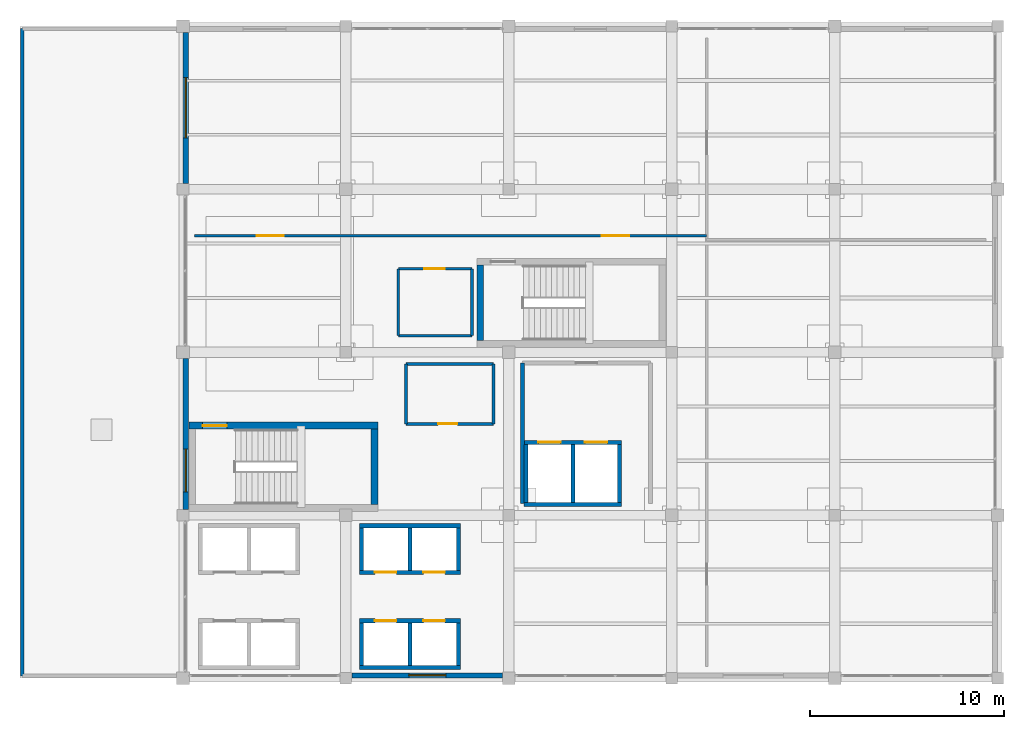
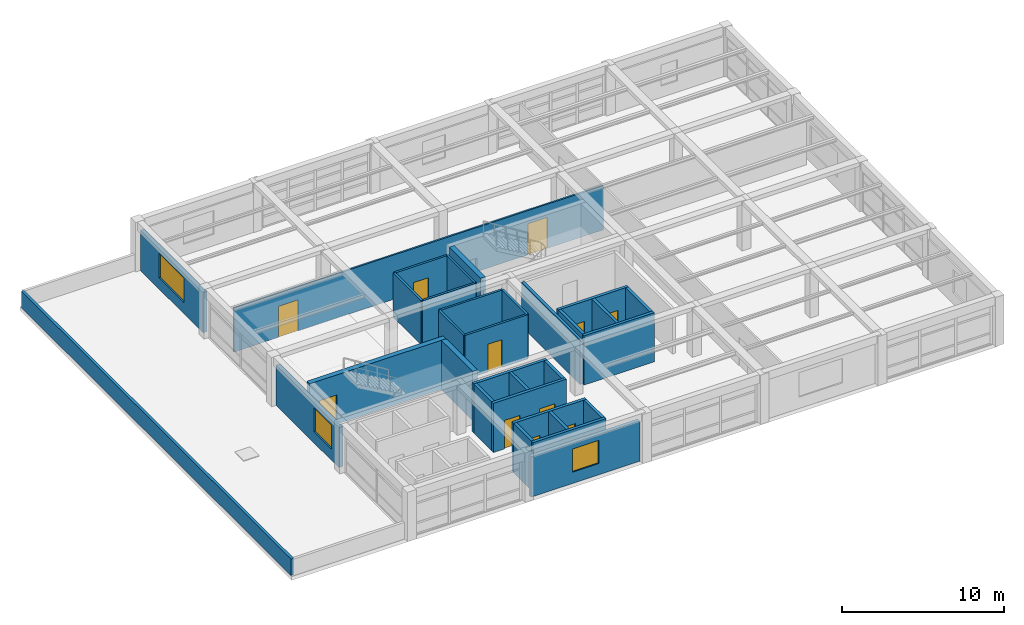
# One storey, part 24 of 26: 32 walls, 11 doors, 3 windows, 14 openings.
"""IFC4 building model written with IfcOpenShell, lengths in metres."""

from ifc_helpers import new_model, si_unit, direction, frame, frame_2d, origin, place, context, subcontext, project, spatial, rectangle, extrude, material, layer, layer_set, type_object, element, fill, save


model = new_model("IFC4")

# Units and contexts
model_context = context("Model", 3, precision=1e-05, world=origin(), true_north=direction((0.0, 1.0)))
body_context = subcontext(model_context, "Body", "Model", "MODEL_VIEW")
ifc_project = project(units=[si_unit("LENGTHUNIT", "METRE"), si_unit("AREAUNIT", "SQUARE_METRE"), si_unit("VOLUMEUNIT", "CUBIC_METRE"), si_unit("PLANEANGLEUNIT", "RADIAN"), si_unit("MASSUNIT", "GRAM", prefix="KILO")], contexts=[model_context])

# Site, building, storey
site_placement = place(None, origin())
site = spatial("IfcSite", under=ifc_project, at=site_placement, CompositionType="ELEMENT")
building_placement = place(site_placement, origin())
building = spatial("IfcBuilding", under=site, at=building_placement, Name="Almacenes y Pasaje Nevantli", CompositionType="ELEMENT")
storey_placement = place(building_placement, frame((0.0, 0.0, 42.699951171875)))
storey = spatial("IfcBuildingStorey", under=building, at=storey_placement, Name="L10", CompositionType="ELEMENT", Elevation=42.699951171875)

# Wall
ifc_material_1 = material(Name="Fire-Rated Concrete Blockwork", Category="masonry")
ifc_layer_1 = layer(ifc_material_1, 0.199951171875)
ifc_layer_set_1 = layer_set([ifc_layer_1], Name="Fire-Rated Concrete Blockwork")
wall_type_1 = type_object("IfcWallType", Name="WL-COMP-200", PredefinedType="PARTITIONING", material=ifc_layer_set_1)
wall_1_placement = place(storey_placement, frame((135.10009765625, 76.199951171875, 0.0), z_axis=(0.0, 0.0, 1.0), x_axis=(0.0, 1.0, 0.0)))
element("IfcWall", 1, at=wall_1_placement, inside=storey, type_object=wall_type_1, Name="L10 Interior Partition Wall IW-200 #175", PredefinedType="PARTITIONING", context=body_context, shape_type="SweptSolid", body=[
    extrude(rectangle(XDim=7.25, YDim=0.199951171875, at=frame_2d((3.625, 0.0))), origin(), (0.0, 0.0, 1.0), 3.340087890625),
])

# Wall, opening, door
ifc_material_2 = material(Name="Concrete C45/55", Category="concrete")
ifc_layer_2 = layer(ifc_material_2, 0.35009765625)
ifc_layer_set_2 = layer_set([ifc_layer_2], Name="Concrete C45/55")
wall_type_2 = type_object("IfcWallType", Name="WL-CORE-350", PredefinedType="SHEAR", material=ifc_layer_set_2)
wall_2_placement = place(storey_placement, frame((117.89990234375, 80.215087890625, 0.0), z_axis=(0.0, 0.0, 1.0), x_axis=(1.0, 0.0, 0.0)))
wall_2 = element("IfcWall", 2, at=wall_2_placement, inside=storey, type_object=wall_type_2, Name="L10 Exit Stair ST-01 North Core Shear Wall", PredefinedType="SHEAR", context=body_context, shape_type="SweptSolid", body=[
    extrude(rectangle(XDim=9.75, YDim=0.35009765625, at=frame_2d((4.875, 0.0))), origin(), (0.0, 0.0, 1.0), 3.719970703125),
])
opening_1_placement = place(wall_2_placement, frame((0.719970703125, 0.0, 0.0)))
opening_1 = element("IfcOpeningElement", 3, at=opening_1_placement, cuts=wall_2, Name="Opening SD-01-L10", PredefinedType="OPENING", context=body_context, shape_type="SweptSolid", body=[
    extrude(rectangle(XDim=1.25, YDim=2.199951171875, at=frame_2d((0.625, 1.10009765625))), frame((0.0, 0.18505859375, 0.0), z_axis=(0.0, -1.0, 0.0), x_axis=(1.0, 0.0, 0.0)), (0.0, 0.0, 1.0), 0.3701171875),
])
ifc_material_3 = material(Name="Galvanized Fire-Rated Steel", Category="steel")
door_type_1 = type_object("IfcDoorType", Name="DR-STAIR-1250", OperationType="SINGLE_SWING_LEFT", PredefinedType="DOOR", material=ifc_material_3)
door_1_placement = place(opening_1_placement, origin())
door_1 = element("IfcDoor", 4, at=door_1_placement, inside=storey, type_object=door_type_1, Name="L10 Smokeproof Exit Stair ST-01 Fire Door", OperationType="SINGLE_SWING_LEFT", OverallHeight=2.199951171875, OverallWidth=1.25, PredefinedType="DOOR", context=body_context, shape_type="SweptSolid", body=[
    extrude(rectangle(XDim=1.25, YDim=2.199951171875, at=frame_2d((0.625, 1.10009765625))), frame((0.0, 0.02490234375, 0.0), z_axis=(0.0, -1.0, 0.0), x_axis=(1.0, 0.0, 0.0)), (0.0, 0.0, 1.0), 0.050048828125),
])
fill(opening_1, door_1)

# Walls
wall_3_placement = place(storey_placement, frame((127.47509765625, 76.14990234375, 0.0), z_axis=(0.0, 0.0, 1.0), x_axis=(0.0, 1.0, 0.0)))
element("IfcWall", 5, at=wall_3_placement, inside=storey, type_object=wall_type_2, Name="L10 Exit Stair ST-01 East Core Shear Wall", PredefinedType="SHEAR", context=body_context, shape_type="SweptSolid", body=[
    extrude(rectangle(XDim=3.89013671875, YDim=0.35009765625, at=frame_2d((1.945068359375, 0.0))), origin(), (0.0, 0.0, 1.0), 3.719970703125),
])
wall_4_placement = place(storey_placement, frame((132.925048828125, 84.60009765625, 0.0), z_axis=(0.0, 0.0, 1.0), x_axis=(0.0, 1.0, 0.0)))
element("IfcWall", 6, at=wall_4_placement, inside=storey, type_object=wall_type_2, Name="L10 Exit Stair ST-02 West Core Shear Wall", PredefinedType="SHEAR", context=body_context, shape_type="SweptSolid", body=[
    extrude(rectangle(XDim=3.889892578125, YDim=0.35009765625, at=frame_2d((1.94482421875, 0.0))), origin(), (0.0, 0.0, 1.0), 3.719970703125),
])

# Wall, opening, window
ifc_material_4 = material(Name="Architectural Precast Concrete C35/45 Spandrel Wall", Category="concrete")
ifc_layer_3 = layer(ifc_material_4, 0.280029296875)
ifc_layer_set_3 = layer_set([ifc_layer_3], Name="Architectural Precast Concrete C35/45 Spandrel Wall")
wall_type_3 = type_object("IfcWallType", Name="WL-EXT-CANTERA-280", PredefinedType="SOLIDWALL", material=ifc_layer_set_3)
wall_5_placement = place(storey_placement, frame((117.739990234375, 75.902099609375, 0.0), z_axis=(0.0, 0.0, 1.0), x_axis=(0.0, 1.0, 0.0)))
wall_5 = element("IfcWall", 7, at=wall_5_placement, inside=storey, type_object=wall_type_3, Name="L10 Tower West Cantera Wall Bay 10", PredefinedType="SOLIDWALL", context=body_context, shape_type="SweptSolid", body=[
    extrude(rectangle(XDim=7.77001953125, YDim=0.280029296875, at=frame_2d((3.885009765625, 0.0))), origin(), (0.0, 0.0, 1.0), 3.0400390625),
])
opening_2_placement = place(wall_5_placement, frame((0.89794921875, 0.0, 0.85009765625)))
opening_2 = element("IfcOpeningElement", 8, at=opening_2_placement, cuts=wall_5, Name="Opening WT-31-238", PredefinedType="OPENING", context=body_context, shape_type="SweptSolid", body=[
    extrude(rectangle(XDim=2.199951171875, YDim=1.800048828125, at=frame_2d((1.10009765625, 0.89990234375))), frame((0.0, 0.14990234375, 0.0), z_axis=(0.0, -1.0, 0.0), x_axis=(1.0, 0.0, 0.0)), (0.0, 0.0, 1.0), 0.300048828125),
])
ifc_material_5 = material(Name="Thermally Broken Aluminium and Low-E Double Glazing", Category="aluminium")
window_type_1 = type_object("IfcWindowType", Name="WN-TWR-2200x1800", PartitioningType="SINGLE_PANEL", PredefinedType="WINDOW", material=ifc_material_5)
window_1_placement = place(opening_2_placement, origin())
window_1 = element("IfcWindow", 9, at=window_1_placement, inside=storey, type_object=window_type_1, Name="L10 Exterior Window WT-31 #238", OverallHeight=1.800048828125, OverallWidth=2.199951171875, PartitioningType="SINGLE_PANEL", PredefinedType="WINDOW", context=body_context, shape_type="SweptSolid", body=[
    extrude(rectangle(XDim=2.199951171875, YDim=1.800048828125, at=frame_2d((1.10009765625, 0.89990234375))), frame((0.0, 0.030029296875, 0.0), z_axis=(0.0, -1.0, 0.0), x_axis=(1.0, 0.0, 0.0)), (0.0, 0.0, 1.0), 0.06005859375),
])
fill(opening_2, window_1)

wall_6_placement = place(storey_placement, frame((117.739990234375, 92.7041015625, 0.0), z_axis=(0.0, 0.0, 1.0), x_axis=(0.0, 1.0, 0.0)))
wall_6 = element("IfcWall", 10, at=wall_6_placement, inside=storey, type_object=wall_type_3, Name="L10 Tower West Cantera Wall Bay 12", PredefinedType="SOLIDWALL", context=body_context, shape_type="SweptSolid", body=[
    extrude(rectangle(XDim=7.767822265625, YDim=0.280029296875, at=frame_2d((3.8837890625, 0.0))), origin(), (0.0, 0.0, 1.0), 3.0400390625),
])
opening_3_placement = place(wall_6_placement, frame((2.345947265625, 0.0, 0.85009765625)))
opening_3 = element("IfcOpeningElement", 11, at=opening_3_placement, cuts=wall_6, Name="Opening WT-28-240", PredefinedType="OPENING", context=body_context, shape_type="SweptSolid", body=[
    extrude(rectangle(XDim=3.10009765625, YDim=1.85009765625, at=frame_2d((1.550048828125, 0.925048828125))), frame((0.0, 0.14990234375, 0.0), z_axis=(0.0, -1.0, 0.0), x_axis=(1.0, 0.0, 0.0)), (0.0, 0.0, 1.0), 0.300048828125),
])
ifc_material_6 = material(Name="Thermally Broken Aluminium and Low-E Double Glazing", Category="aluminium")
window_type_2 = type_object("IfcWindowType", Name="WN-TWR-3100x1850", PartitioningType="SINGLE_PANEL", PredefinedType="WINDOW", material=ifc_material_6)
window_2_placement = place(opening_3_placement, origin())
window_2 = element("IfcWindow", 12, at=window_2_placement, inside=storey, type_object=window_type_2, Name="L10 Exterior Window WT-28 #240", OverallHeight=1.85009765625, OverallWidth=3.10009765625, PartitioningType="SINGLE_PANEL", PredefinedType="WINDOW", context=body_context, shape_type="SweptSolid", body=[
    extrude(rectangle(XDim=3.10009765625, YDim=1.85009765625, at=frame_2d((1.550048828125, 0.925048828125))), frame((0.0, 0.030029296875, 0.0), z_axis=(0.0, -1.0, 0.0), x_axis=(1.0, 0.0, 0.0)), (0.0, 0.0, 1.0), 0.06005859375),
])
fill(opening_3, window_2)

ifc_material_7 = material(Name="Cream Architectural Precast Concrete C35/45 Wall", Category="concrete")
ifc_layer_4 = layer(ifc_material_7, 0.260009765625)
ifc_layer_set_4 = layer_set([ifc_layer_4], Name="Cream Architectural Precast Concrete C35/45 Wall")
wall_type_4 = type_object("IfcWallType", Name="WL-EXT-PRECAST-260", PredefinedType="SOLIDWALL", material=ifc_layer_set_4)
wall_7_placement = place(storey_placement, frame((126.303955078125, 67.340087890625, 0.0), z_axis=(0.0, 0.0, 1.0), x_axis=(1.0, 0.0, 0.0)))
wall_7 = element("IfcWall", 13, at=wall_7_placement, inside=storey, type_object=wall_type_4, Name="L10 Tower South Precast Spandrel Wall Bay 16", PredefinedType="SOLIDWALL", context=body_context, shape_type="SweptSolid", body=[
    extrude(rectangle(XDim=7.76806640625, YDim=0.260009765625, at=frame_2d((3.884033203125, 0.0))), origin(), (0.0, 0.0, 1.0), 3.0400390625),
])
opening_4_placement = place(wall_7_placement, frame((2.946044921875, 0.0, 0.85009765625)))
opening_4 = element("IfcOpeningElement", 14, at=opening_4_placement, cuts=wall_7, Name="Opening WT-32-233", PredefinedType="OPENING", context=body_context, shape_type="SweptSolid", body=[
    extrude(rectangle(XDim=1.89990234375, YDim=1.75, at=frame_2d((0.949951171875, 0.875))), frame((0.0, 0.139892578125, 0.0), z_axis=(0.0, -1.0, 0.0), x_axis=(1.0, 0.0, 0.0)), (0.0, 0.0, 1.0), 0.280029296875),
])
ifc_material_8 = material(Name="Thermally Broken Aluminium and Low-E Double Glazing", Category="aluminium")
window_type_3 = type_object("IfcWindowType", Name="WN-TWR-1900x1750", PartitioningType="SINGLE_PANEL", PredefinedType="WINDOW", material=ifc_material_8)
window_3_placement = place(opening_4_placement, origin())
window_3 = element("IfcWindow", 15, at=window_3_placement, inside=storey, type_object=window_type_3, Name="L10 Exterior Window WT-32 #233", OverallHeight=1.75, OverallWidth=1.89990234375, PartitioningType="SINGLE_PANEL", PredefinedType="WINDOW", context=body_context, shape_type="SweptSolid", body=[
    extrude(rectangle(XDim=1.89990234375, YDim=1.75, at=frame_2d((0.949951171875, 0.875))), frame((0.0, 0.030029296875, 0.0), z_axis=(0.0, -1.0, 0.0), x_axis=(1.0, 0.0, 0.0)), (0.0, 0.0, 1.0), 0.06005859375),
])
fill(opening_4, window_3)

# Wall
ifc_material_9 = material(Name="Reinforced Concrete C35/45 Tower Parapet", Category="concrete")
ifc_layer_5 = layer(ifc_material_9, 0.18994140625)
ifc_layer_set_5 = layer_set([ifc_layer_5], Name="Reinforced Concrete C35/45 Tower Parapet")
wall_type_5 = type_object("IfcWallType", Name="WL-PARAPET-190", PredefinedType="PARAPET", material=ifc_layer_set_5)
wall_8_placement = place(storey_placement, frame((109.320068359375, 67.320068359375, 0.0), z_axis=(0.0, 0.0, 1.0), x_axis=(0.0, 1.0, 0.0)))
element("IfcWall", 16, at=wall_8_placement, inside=storey, type_object=wall_type_5, Name="L10 Setback West Parapet", PredefinedType="PARAPET", context=body_context, shape_type="SweptSolid", body=[
    extrude(rectangle(XDim=33.35986328125, YDim=0.18994140625, at=frame_2d((16.679931640625, 0.0))), origin(), (0.0, 0.0, 1.0), 1.25),
])

# Wall, openings, doors
ifc_material_10 = material(Name="Standard Steel-Stud Gypsum Partition", Category="steel")
ifc_layer_6 = layer(ifc_material_10, 0.1201171875)
ifc_layer_set_6 = layer_set([ifc_layer_6], Name="Standard Steel-Stud Gypsum Partition")
wall_type_6 = type_object("IfcWallType", Name="WL-PART-120", PredefinedType="PARTITIONING", material=ifc_layer_set_6)
wall_9_placement = place(storey_placement, frame((118.199951171875, 90.0, 0.0), z_axis=(0.0, 0.0, 1.0), x_axis=(1.0, 0.0, 0.0)))
wall_9 = element("IfcWall", 17, at=wall_9_placement, inside=storey, type_object=wall_type_6, Name="L10 Interior Partition Wall IW-120 #185", PredefinedType="PARTITIONING", context=body_context, shape_type="SweptSolid", body=[
    extrude(rectangle(XDim=26.400146484375, YDim=0.1201171875, at=frame_2d((13.2001953125, 0.0))), origin(), (0.0, 0.0, 1.0), 3.340087890625),
])
opening_5_placement = place(wall_9_placement, frame((3.199951171875, 0.0, 0.0)))
opening_5 = element("IfcOpeningElement", 18, at=opening_5_placement, cuts=wall_9, Name="Opening ID-L10-100", PredefinedType="OPENING", context=body_context, shape_type="SweptSolid", body=[
    extrude(rectangle(XDim=1.39990234375, YDim=2.35009765625, at=frame_2d((0.699951171875, 1.175048828125))), frame((0.0, 0.070068359375, 0.0), z_axis=(0.0, -1.0, 0.0), x_axis=(1.0, 0.0, 0.0)), (0.0, 0.0, 1.0), 0.14013671875),
])
opening_6_placement = place(wall_9_placement, frame((21.0, 0.0, 0.0)))
opening_6 = element("IfcOpeningElement", 19, at=opening_6_placement, cuts=wall_9, Name="Opening ID-L10-101", PredefinedType="OPENING", context=body_context, shape_type="SweptSolid", body=[
    extrude(rectangle(XDim=1.39990234375, YDim=2.35009765625, at=frame_2d((0.699951171875, 1.175048828125))), frame((0.0, 0.070068359375, 0.0), z_axis=(0.0, -1.0, 0.0), x_axis=(1.0, 0.0, 0.0)), (0.0, 0.0, 1.0), 0.14013671875),
])
ifc_material_11 = material(Name="Framed Tempered Safety Glass", Category="glass")
door_type_2 = type_object("IfcDoorType", Name="DR-GLZ-1400", OperationType="DOUBLE_DOOR_SINGLE_SWING", PredefinedType="DOOR", material=ifc_material_11)
door_2_placement = place(opening_5_placement, origin())
door_2 = element("IfcDoor", 20, at=door_2_placement, inside=storey, type_object=door_type_2, Name="L10 L10 North Workplace West Door", OperationType="DOUBLE_DOOR_SINGLE_SWING", OverallHeight=2.35009765625, OverallWidth=1.39990234375, PredefinedType="DOOR", context=body_context, shape_type="SweptSolid", body=[
    extrude(rectangle(XDim=1.39990234375, YDim=2.35009765625, at=frame_2d((0.699951171875, 1.175048828125))), frame((0.0, 0.02490234375, 0.0), z_axis=(0.0, -1.0, 0.0), x_axis=(1.0, 0.0, 0.0)), (0.0, 0.0, 1.0), 0.050048828125),
])
fill(opening_5, door_2)
door_3_placement = place(opening_6_placement, origin())
door_3 = element("IfcDoor", 21, at=door_3_placement, inside=storey, type_object=door_type_2, Name="L10 L10 North Workplace East Door", OperationType="DOUBLE_DOOR_SINGLE_SWING", OverallHeight=2.35009765625, OverallWidth=1.39990234375, PredefinedType="DOOR", context=body_context, shape_type="SweptSolid", body=[
    extrude(rectangle(XDim=1.39990234375, YDim=2.35009765625, at=frame_2d((0.699951171875, 1.175048828125))), frame((0.0, 0.02490234375, 0.0), z_axis=(0.0, -1.0, 0.0), x_axis=(1.0, 0.0, 0.0)), (0.0, 0.0, 1.0), 0.050048828125),
])
fill(opening_6, door_3)

# Wall, opening, door
ifc_material_12 = material(Name="Acoustic Steel-Stud Gypsum Partition", Category="steel")
ifc_layer_7 = layer(ifc_material_12, 0.14990234375)
ifc_layer_set_7 = layer_set([ifc_layer_7], Name="Acoustic Steel-Stud Gypsum Partition")
wall_type_7 = type_object("IfcWallType", Name="WL-PART-150", PredefinedType="PARTITIONING", material=ifc_layer_set_7)
wall_10_placement = place(storey_placement, frame((129.10009765625, 80.300048828125, 0.0), z_axis=(0.0, 0.0, 1.0), x_axis=(1.0, 0.0, 0.0)))
wall_10 = element("IfcWall", 22, at=wall_10_placement, inside=storey, type_object=wall_type_7, Name="L10 Interior Partition Wall IW-150 #177", PredefinedType="PARTITIONING", context=body_context, shape_type="SweptSolid", body=[
    extrude(rectangle(XDim=4.5, YDim=0.14990234375, at=frame_2d((2.25, 0.0))), origin(), (0.0, 0.0, 1.0), 3.340087890625),
])
opening_7_placement = place(wall_10_placement, frame((1.64990234375, 0.0, 0.0)))
opening_7 = element("IfcOpeningElement", 23, at=opening_7_placement, cuts=wall_10, Name="Opening ID-L10-098", PredefinedType="OPENING", context=body_context, shape_type="SweptSolid", body=[
    extrude(rectangle(XDim=1.0, YDim=2.10009765625, at=frame_2d((0.5, 1.050048828125))), frame((0.0, 0.0849609375, 0.0), z_axis=(0.0, -1.0, 0.0), x_axis=(1.0, 0.0, 0.0)), (0.0, 0.0, 1.0), 0.169921875),
])
ifc_material_13 = material(Name="Powder-Coated Hollow Metal", Category="steel")
door_type_3 = type_object("IfcDoorType", Name="DR-INT-1000", OperationType="SINGLE_SWING_LEFT", PredefinedType="DOOR", material=ifc_material_13)
door_4_placement = place(opening_7_placement, origin())
door_4 = element("IfcDoor", 24, at=door_4_placement, inside=storey, type_object=door_type_3, Name="L10 Staff and Public WC Door", OperationType="SINGLE_SWING_LEFT", OverallHeight=2.10009765625, OverallWidth=1.0, PredefinedType="DOOR", context=body_context, shape_type="SweptSolid", body=[
    extrude(rectangle(XDim=1.0, YDim=2.10009765625, at=frame_2d((0.5, 1.050048828125))), frame((0.0, 0.02490234375, 0.0), z_axis=(0.0, -1.0, 0.0), x_axis=(1.0, 0.0, 0.0)), (0.0, 0.0, 1.0), 0.050048828125),
])
fill(opening_7, door_4)

# Walls
wall_11_placement = place(storey_placement, frame((129.10009765625, 83.39990234375, 0.0), z_axis=(0.0, 0.0, 1.0), x_axis=(1.0, 0.0, 0.0)))
element("IfcWall", 25, at=wall_11_placement, inside=storey, type_object=wall_type_7, Name="L10 Interior Partition Wall IW-150 #178", PredefinedType="PARTITIONING", context=body_context, shape_type="SweptSolid", body=[
    extrude(rectangle(XDim=4.5, YDim=0.14990234375, at=frame_2d((2.25, 0.0))), origin(), (0.0, 0.0, 1.0), 3.340087890625),
])
for number, where, z_axis, x_axis, name in (
    (26, (129.10009765625, 80.300048828125, 0.0), (0.0, 0.0, 1.0), (0.0, 1.0, 0.0), "L10 Interior Partition Wall IW-150 #179"),
    (27, (133.60009765625, 80.300048828125, 0.0), (0.0, 0.0, 1.0), (0.0, 1.0, 0.0), "L10 Interior Partition Wall IW-150 #180"),
):
    element("IfcWall", number, at=place(storey_placement, frame(where, z_axis=z_axis, x_axis=x_axis)), inside=storey, type_object=wall_type_7, Name=name, PredefinedType="PARTITIONING", context=body_context, shape_type="SweptSolid", body=[
        extrude(rectangle(XDim=3.099853515625, YDim=0.14990234375, at=frame_2d((1.5498046875, 0.0))), origin(), (0.0, 0.0, 1.0), 3.340087890625),
    ])

# Wall, opening, door
wall_12_placement = place(storey_placement, frame((128.699951171875, 88.300048828125, 0.0), z_axis=(0.0, 0.0, 1.0), x_axis=(1.0, 0.0, 0.0)))
wall_12 = element("IfcWall", 28, at=wall_12_placement, inside=storey, type_object=wall_type_7, Name="L10 Interior Partition Wall IW-150 #181", PredefinedType="PARTITIONING", context=body_context, shape_type="SweptSolid", body=[
    extrude(rectangle(XDim=3.800048828125, YDim=0.14990234375, at=frame_2d((1.89990234375, 0.0))), origin(), (0.0, 0.0, 1.0), 3.340087890625),
])
opening_8_placement = place(wall_12_placement, frame((1.35009765625, 0.0, 0.0)))
opening_8 = element("IfcOpeningElement", 29, at=opening_8_placement, cuts=wall_12, Name="Opening ID-L10-099", PredefinedType="OPENING", context=body_context, shape_type="SweptSolid", body=[
    extrude(rectangle(XDim=1.050048828125, YDim=2.14990234375, at=frame_2d((0.52490234375, 1.074951171875))), frame((0.0, 0.0849609375, 0.0), z_axis=(0.0, -1.0, 0.0), x_axis=(1.0, 0.0, 0.0)), (0.0, 0.0, 1.0), 0.169921875),
])
ifc_material_14 = material(Name="Powder-Coated Hollow Metal", Category="steel")
door_type_4 = type_object("IfcDoorType", Name="DR-ACC-1050", OperationType="SINGLE_SWING_RIGHT", PredefinedType="DOOR", material=ifc_material_14)
door_5_placement = place(opening_8_placement, origin())
door_5 = element("IfcDoor", 30, at=door_5_placement, inside=storey, type_object=door_type_4, Name="L10 Accessible WC Door", OperationType="SINGLE_SWING_RIGHT", OverallHeight=2.14990234375, OverallWidth=1.050048828125, PredefinedType="DOOR", context=body_context, shape_type="SweptSolid", body=[
    extrude(rectangle(XDim=1.050048828125, YDim=2.14990234375, at=frame_2d((0.52490234375, 1.074951171875))), frame((0.0, 0.02490234375, 0.0), z_axis=(0.0, -1.0, 0.0), x_axis=(1.0, 0.0, 0.0)), (0.0, 0.0, 1.0), 0.050048828125),
])
fill(opening_8, door_5)

# Walls
wall_13_placement = place(storey_placement, frame((128.699951171875, 84.85009765625, 0.0), z_axis=(0.0, 0.0, 1.0), x_axis=(1.0, 0.0, 0.0)))
element("IfcWall", 31, at=wall_13_placement, inside=storey, type_object=wall_type_7, Name="L10 Interior Partition Wall IW-150 #182", PredefinedType="PARTITIONING", context=body_context, shape_type="SweptSolid", body=[
    extrude(rectangle(XDim=3.800048828125, YDim=0.14990234375, at=frame_2d((1.89990234375, 0.0))), origin(), (0.0, 0.0, 1.0), 3.340087890625),
])
for number, where, z_axis, x_axis, name in (
    (32, (128.699951171875, 84.85009765625, 0.0), (0.0, 0.0, 1.0), (0.0, 1.0, 0.0), "L10 Interior Partition Wall IW-150 #183"),
    (33, (132.5, 84.85009765625, 0.0), (0.0, 0.0, 1.0), (0.0, 1.0, 0.0), "L10 Interior Partition Wall IW-150 #184"),
):
    element("IfcWall", number, at=place(storey_placement, frame(where, z_axis=z_axis, x_axis=x_axis)), inside=storey, type_object=wall_type_7, Name=name, PredefinedType="PARTITIONING", context=body_context, shape_type="SweptSolid", body=[
        extrude(rectangle(XDim=3.449951171875, YDim=0.14990234375, at=frame_2d((1.72509765625, 0.0))), origin(), (0.0, 0.0, 1.0), 3.340087890625),
    ])
ifc_material_15 = material(Name="Concrete C45/55", Category="concrete")
ifc_layer_8 = layer(ifc_material_15, 0.2099609375)
ifc_layer_set_8 = layer_set([ifc_layer_8], Name="Concrete C45/55")
wall_type_8 = type_object("IfcWallType", Name="WL-SHAFT-210", PredefinedType="SHEAR", material=ifc_layer_set_8)
wall_14_placement = place(storey_placement, frame((126.68994140625, 67.7451171875, 0.0), z_axis=(0.0, 0.0, 1.0), x_axis=(1.0, 0.0, 0.0)))
element("IfcWall", 34, at=wall_14_placement, inside=storey, type_object=wall_type_8, Name="L10 Lift Hoistway ELV-P01-ELV-P02 South Wall", PredefinedType="SHEAR", context=body_context, shape_type="SweptSolid", body=[
    extrude(rectangle(XDim=5.219970703125, YDim=0.2099609375, at=frame_2d((2.60986328125, 0.0))), origin(), (0.0, 0.0, 1.0), 3.719970703125),
])

# Wall, openings, doors
wall_15_placement = place(storey_placement, frame((126.68994140625, 70.155029296875, 0.0), z_axis=(0.0, 0.0, 1.0), x_axis=(1.0, 0.0, 0.0)))
wall_15 = element("IfcWall", 35, at=wall_15_placement, inside=storey, type_object=wall_type_8, Name="L10 Lift Hoistway ELV-P01-ELV-P02 North Wall", PredefinedType="SHEAR", context=body_context, shape_type="SweptSolid", body=[
    extrude(rectangle(XDim=5.219970703125, YDim=0.2099609375, at=frame_2d((2.60986328125, 0.0))), origin(), (0.0, 0.0, 1.0), 3.719970703125),
])
opening_9_placement = place(wall_15_placement, frame((0.81005859375, 0.0, 0.0)))
opening_9 = element("IfcOpeningElement", 36, at=opening_9_placement, cuts=wall_15, Name="Opening LD-P01-L10", PredefinedType="OPENING", context=body_context, shape_type="SweptSolid", body=[
    extrude(rectangle(XDim=1.10009765625, YDim=2.14990234375, at=frame_2d((0.550048828125, 1.074951171875))), frame((0.0, 0.114990234375, 0.0), z_axis=(0.0, -1.0, 0.0), x_axis=(1.0, 0.0, 0.0)), (0.0, 0.0, 1.0), 0.22998046875),
])
opening_10_placement = place(wall_15_placement, frame((3.31005859375, 0.0, 0.0)))
opening_10 = element("IfcOpeningElement", 37, at=opening_10_placement, cuts=wall_15, Name="Opening LD-P02-L10", PredefinedType="OPENING", context=body_context, shape_type="SweptSolid", body=[
    extrude(rectangle(XDim=1.10009765625, YDim=2.14990234375, at=frame_2d((0.550048828125, 1.074951171875))), frame((0.0, 0.114990234375, 0.0), z_axis=(0.0, -1.0, 0.0), x_axis=(1.0, 0.0, 0.0)), (0.0, 0.0, 1.0), 0.22998046875),
])
ifc_material_16 = material(Name="Brushed Stainless Steel", Category="steel")
door_type_5 = type_object("IfcDoorType", Name="DR-LD-PASS-1100", OperationType="DOUBLE_DOOR_SLIDING", PredefinedType="DOOR", material=ifc_material_16)
door_6_placement = place(opening_9_placement, origin())
door_6 = element("IfcDoor", 38, at=door_6_placement, inside=storey, type_object=door_type_5, Name="Lift Landing Door ELV-P01 L10", OperationType="DOUBLE_DOOR_SLIDING", OverallHeight=2.14990234375, OverallWidth=1.10009765625, PredefinedType="DOOR", context=body_context, shape_type="SweptSolid", body=[
    extrude(rectangle(XDim=1.10009765625, YDim=2.14990234375, at=frame_2d((0.550048828125, 1.074951171875))), frame((0.0, 0.02490234375, 0.0), z_axis=(0.0, -1.0, 0.0), x_axis=(1.0, 0.0, 0.0)), (0.0, 0.0, 1.0), 0.050048828125),
])
fill(opening_9, door_6)
door_7_placement = place(opening_10_placement, origin())
door_7 = element("IfcDoor", 39, at=door_7_placement, inside=storey, type_object=door_type_5, Name="Lift Landing Door ELV-P02 L10", OperationType="DOUBLE_DOOR_SLIDING", OverallHeight=2.14990234375, OverallWidth=1.10009765625, PredefinedType="DOOR", context=body_context, shape_type="SweptSolid", body=[
    extrude(rectangle(XDim=1.10009765625, YDim=2.14990234375, at=frame_2d((0.550048828125, 1.074951171875))), frame((0.0, 0.02490234375, 0.0), z_axis=(0.0, -1.0, 0.0), x_axis=(1.0, 0.0, 0.0)), (0.0, 0.0, 1.0), 0.050048828125),
])
fill(opening_10, door_7)

# Walls
for number, where, z_axis, x_axis, name in (
    (40, (126.794921875, 67.85009765625, 0.0), (0.0, 0.0, 1.0), (0.0, 1.0, 0.0), "L10 Lift Hoistway ELV-P01 West Wall"),
    (41, (131.804931640625, 67.85009765625, 0.0), (0.0, 0.0, 1.0), (0.0, 1.0, 0.0), "L10 Lift Hoistway ELV-P02 East Wall"),
    (42, (129.300048828125, 67.85009765625, 0.0), (0.0, 0.0, 1.0), (0.0, 1.0, 0.0), "L10 Lift Hoistway Divider Wall ELV-P01/ELV-P02"),
):
    element("IfcWall", number, at=place(storey_placement, frame(where, z_axis=z_axis, x_axis=x_axis)), inside=storey, type_object=wall_type_8, Name=name, PredefinedType="SHEAR", context=body_context, shape_type="SweptSolid", body=[
        extrude(rectangle(XDim=2.199951171875, YDim=0.2099609375, at=frame_2d((1.10009765625, 0.0))), origin(), (0.0, 0.0, 1.0), 3.719970703125),
    ])

# Wall, openings, doors
wall_16_placement = place(storey_placement, frame((126.68994140625, 72.64501953125, 0.0), z_axis=(0.0, 0.0, 1.0), x_axis=(1.0, 0.0, 0.0)))
wall_16 = element("IfcWall", 43, at=wall_16_placement, inside=storey, type_object=wall_type_8, Name="L10 Lift Hoistway ELV-P03-ELV-P04 South Wall", PredefinedType="SHEAR", context=body_context, shape_type="SweptSolid", body=[
    extrude(rectangle(XDim=5.219970703125, YDim=0.2099609375, at=frame_2d((2.60986328125, 0.0))), origin(), (0.0, 0.0, 1.0), 3.719970703125),
])
opening_11_placement = place(wall_16_placement, frame((0.81005859375, 0.0, 0.0)))
opening_11 = element("IfcOpeningElement", 44, at=opening_11_placement, cuts=wall_16, Name="Opening LD-P03-L10", PredefinedType="OPENING", context=body_context, shape_type="SweptSolid", body=[
    extrude(rectangle(XDim=1.10009765625, YDim=2.14990234375, at=frame_2d((0.550048828125, 1.074951171875))), frame((0.0, 0.114990234375, 0.0), z_axis=(0.0, -1.0, 0.0), x_axis=(1.0, 0.0, 0.0)), (0.0, 0.0, 1.0), 0.22998046875),
])
opening_12_placement = place(wall_16_placement, frame((3.31005859375, 0.0, 0.0)))
opening_12 = element("IfcOpeningElement", 45, at=opening_12_placement, cuts=wall_16, Name="Opening LD-P04-L10", PredefinedType="OPENING", context=body_context, shape_type="SweptSolid", body=[
    extrude(rectangle(XDim=1.10009765625, YDim=2.14990234375, at=frame_2d((0.550048828125, 1.074951171875))), frame((0.0, 0.114990234375, 0.0), z_axis=(0.0, -1.0, 0.0), x_axis=(1.0, 0.0, 0.0)), (0.0, 0.0, 1.0), 0.22998046875),
])
door_8_placement = place(opening_11_placement, origin())
door_8 = element("IfcDoor", 46, at=door_8_placement, inside=storey, type_object=door_type_5, Name="Lift Landing Door ELV-P03 L10", OperationType="DOUBLE_DOOR_SLIDING", OverallHeight=2.14990234375, OverallWidth=1.10009765625, PredefinedType="DOOR", context=body_context, shape_type="SweptSolid", body=[
    extrude(rectangle(XDim=1.10009765625, YDim=2.14990234375, at=frame_2d((0.550048828125, 1.074951171875))), frame((0.0, 0.02490234375, 0.0), z_axis=(0.0, -1.0, 0.0), x_axis=(1.0, 0.0, 0.0)), (0.0, 0.0, 1.0), 0.050048828125),
])
fill(opening_11, door_8)
door_9_placement = place(opening_12_placement, origin())
door_9 = element("IfcDoor", 47, at=door_9_placement, inside=storey, type_object=door_type_5, Name="Lift Landing Door ELV-P04 L10", OperationType="DOUBLE_DOOR_SLIDING", OverallHeight=2.14990234375, OverallWidth=1.10009765625, PredefinedType="DOOR", context=body_context, shape_type="SweptSolid", body=[
    extrude(rectangle(XDim=1.10009765625, YDim=2.14990234375, at=frame_2d((0.550048828125, 1.074951171875))), frame((0.0, 0.02490234375, 0.0), z_axis=(0.0, -1.0, 0.0), x_axis=(1.0, 0.0, 0.0)), (0.0, 0.0, 1.0), 0.050048828125),
])
fill(opening_12, door_9)

# Walls
wall_17_placement = place(storey_placement, frame((126.68994140625, 75.054931640625, 0.0), z_axis=(0.0, 0.0, 1.0), x_axis=(1.0, 0.0, 0.0)))
element("IfcWall", 48, at=wall_17_placement, inside=storey, type_object=wall_type_8, Name="L10 Lift Hoistway ELV-P03-ELV-P04 North Wall", PredefinedType="SHEAR", context=body_context, shape_type="SweptSolid", body=[
    extrude(rectangle(XDim=5.219970703125, YDim=0.2099609375, at=frame_2d((2.60986328125, 0.0))), origin(), (0.0, 0.0, 1.0), 3.719970703125),
])
for number, where, z_axis, x_axis, name in (
    (49, (126.794921875, 72.75, 0.0), (0.0, 0.0, 1.0), (0.0, 1.0, 0.0), "L10 Lift Hoistway ELV-P03 West Wall"),
    (50, (131.804931640625, 72.75, 0.0), (0.0, 0.0, 1.0), (0.0, 1.0, 0.0), "L10 Lift Hoistway ELV-P04 East Wall"),
    (51, (129.300048828125, 72.75, 0.0), (0.0, 0.0, 1.0), (0.0, 1.0, 0.0), "L10 Lift Hoistway Divider Wall ELV-P03/ELV-P04"),
):
    element("IfcWall", number, at=place(storey_placement, frame(where, z_axis=z_axis, x_axis=x_axis)), inside=storey, type_object=wall_type_8, Name=name, PredefinedType="SHEAR", context=body_context, shape_type="SweptSolid", body=[
        extrude(rectangle(XDim=2.199951171875, YDim=0.2099609375, at=frame_2d((1.10009765625, 0.0))), origin(), (0.0, 0.0, 1.0), 3.719970703125),
    ])
wall_18_placement = place(storey_placement, frame((135.18994140625, 76.14501953125, 0.0), z_axis=(0.0, 0.0, 1.0), x_axis=(1.0, 0.0, 0.0)))
element("IfcWall", 52, at=wall_18_placement, inside=storey, type_object=wall_type_8, Name="L10 Lift Hoistway ELV-FF1-ELV-FF2 South Wall", PredefinedType="SHEAR", context=body_context, shape_type="SweptSolid", body=[
    extrude(rectangle(XDim=5.02001953125, YDim=0.2099609375, at=frame_2d((2.510009765625, 0.0))), origin(), (0.0, 0.0, 1.0), 3.719970703125),
])

# Wall, openings, doors
wall_19_placement = place(storey_placement, frame((135.18994140625, 79.35498046875, 0.0), z_axis=(0.0, 0.0, 1.0), x_axis=(1.0, 0.0, 0.0)))
wall_19 = element("IfcWall", 53, at=wall_19_placement, inside=storey, type_object=wall_type_8, Name="L10 Lift Hoistway ELV-FF1-ELV-FF2 North Wall", PredefinedType="SHEAR", context=body_context, shape_type="SweptSolid", body=[
    extrude(rectangle(XDim=5.02001953125, YDim=0.2099609375, at=frame_2d((2.510009765625, 0.0))), origin(), (0.0, 0.0, 1.0), 3.719970703125),
])
opening_13_placement = place(wall_19_placement, frame((0.735107421875, 0.0, 0.0)))
opening_13 = element("IfcOpeningElement", 54, at=opening_13_placement, cuts=wall_19, Name="Opening LD-FF1-L10", PredefinedType="OPENING", context=body_context, shape_type="SweptSolid", body=[
    extrude(rectangle(XDim=1.14990234375, YDim=2.199951171875, at=frame_2d((0.574951171875, 1.10009765625))), frame((0.0, 0.114990234375, 0.0), z_axis=(0.0, -1.0, 0.0), x_axis=(1.0, 0.0, 0.0)), (0.0, 0.0, 1.0), 0.22998046875),
])
opening_14_placement = place(wall_19_placement, frame((3.135009765625, 0.0, 0.0)))
opening_14 = element("IfcOpeningElement", 55, at=opening_14_placement, cuts=wall_19, Name="Opening LD-FF2-L10", PredefinedType="OPENING", context=body_context, shape_type="SweptSolid", body=[
    extrude(rectangle(XDim=1.14990234375, YDim=2.199951171875, at=frame_2d((0.574951171875, 1.10009765625))), frame((0.0, 0.114990234375, 0.0), z_axis=(0.0, -1.0, 0.0), x_axis=(1.0, 0.0, 0.0)), (0.0, 0.0, 1.0), 0.22998046875),
])
ifc_material_17 = material(Name="Fire-Rated Stainless Steel", Category="steel")
door_type_6 = type_object("IfcDoorType", Name="DR-LD-FF-1150", OperationType="DOUBLE_DOOR_SLIDING", PredefinedType="DOOR", material=ifc_material_17)
door_10_placement = place(opening_13_placement, origin())
door_10 = element("IfcDoor", 56, at=door_10_placement, inside=storey, type_object=door_type_6, Name="Lift Landing Door ELV-FF1 L10", OperationType="DOUBLE_DOOR_SLIDING", OverallHeight=2.199951171875, OverallWidth=1.14990234375, PredefinedType="DOOR", context=body_context, shape_type="SweptSolid", body=[
    extrude(rectangle(XDim=1.14990234375, YDim=2.199951171875, at=frame_2d((0.574951171875, 1.10009765625))), frame((0.0, 0.02490234375, 0.0), z_axis=(0.0, -1.0, 0.0), x_axis=(1.0, 0.0, 0.0)), (0.0, 0.0, 1.0), 0.050048828125),
])
fill(opening_13, door_10)
door_11_placement = place(opening_14_placement, origin())
door_11 = element("IfcDoor", 57, at=door_11_placement, inside=storey, type_object=door_type_6, Name="Lift Landing Door ELV-FF2 L10", OperationType="DOUBLE_DOOR_SLIDING", OverallHeight=2.199951171875, OverallWidth=1.14990234375, PredefinedType="DOOR", context=body_context, shape_type="SweptSolid", body=[
    extrude(rectangle(XDim=1.14990234375, YDim=2.199951171875, at=frame_2d((0.574951171875, 1.10009765625))), frame((0.0, 0.02490234375, 0.0), z_axis=(0.0, -1.0, 0.0), x_axis=(1.0, 0.0, 0.0)), (0.0, 0.0, 1.0), 0.050048828125),
])
fill(opening_14, door_11)

# Walls
for number, where, z_axis, x_axis, name in (
    (58, (135.294921875, 76.25, 0.0), (0.0, 0.0, 1.0), (0.0, 1.0, 0.0), "L10 Lift Hoistway ELV-FF1 West Wall"),
    (59, (140.10498046875, 76.25, 0.0), (0.0, 0.0, 1.0), (0.0, 1.0, 0.0), "L10 Lift Hoistway ELV-FF2 East Wall"),
    (60, (137.699951171875, 76.25, 0.0), (0.0, 0.0, 1.0), (0.0, 1.0, 0.0), "L10 Lift Hoistway Divider Wall ELV-FF1/ELV-FF2"),
):
    element("IfcWall", number, at=place(storey_placement, frame(where, z_axis=z_axis, x_axis=x_axis)), inside=storey, type_object=wall_type_8, Name=name, PredefinedType="SHEAR", context=body_context, shape_type="SweptSolid", body=[
        extrude(rectangle(XDim=3.0, YDim=0.2099609375, at=frame_2d((1.5, 0.0))), origin(), (0.0, 0.0, 1.0), 3.719970703125),
    ])

save(model, "model.ifc")
